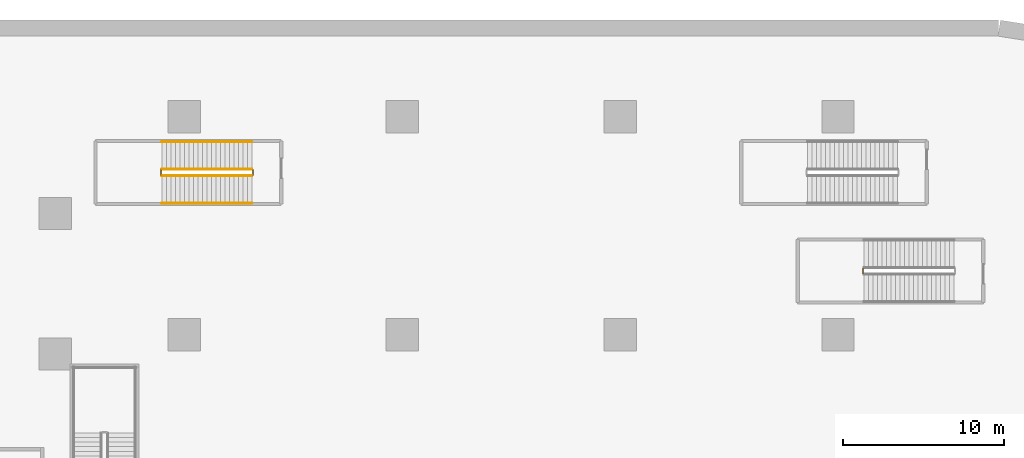
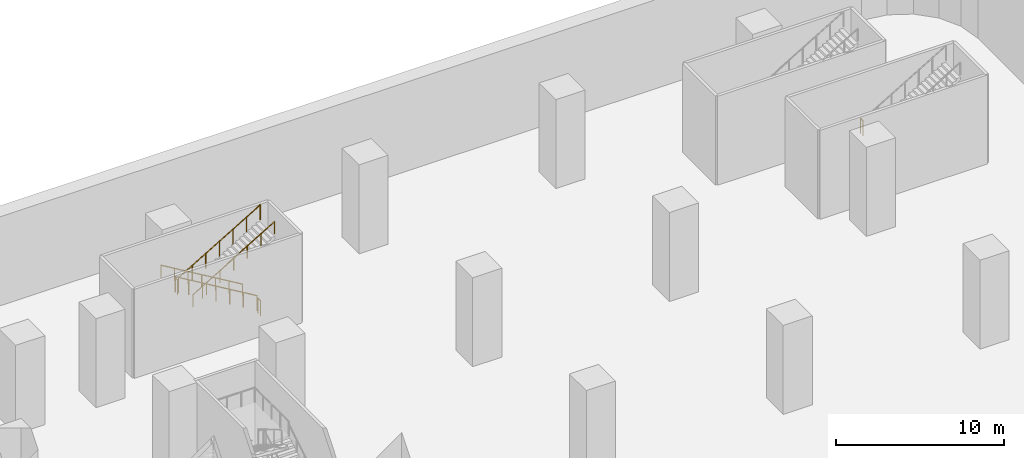
# One storey, part 34 of 37: 7 railings.
"""IFC4 building model written with IfcOpenShell, lengths in metres."""

from ifc_helpers import new_model, si_unit, direction, frame, origin, origin_2d, place, context, subcontext, project, spatial, circle, extrude, material, type_object, element, save


model = new_model("IFC4")

# Units and contexts
model_context = context("Model", 3, precision=1e-05, world=origin(), true_north=direction((0.0, 1.0)))
body_context = subcontext(model_context, "Body", "Model", "MODEL_VIEW")
ifc_project = project(units=[si_unit("LENGTHUNIT", "METRE"), si_unit("AREAUNIT", "SQUARE_METRE"), si_unit("VOLUMEUNIT", "CUBIC_METRE"), si_unit("PLANEANGLEUNIT", "RADIAN"), si_unit("MASSUNIT", "GRAM", prefix="KILO")], contexts=[model_context])

# Site, building, storey
site_placement = place(None, origin())
site = spatial("IfcSite", under=ifc_project, at=site_placement, CompositionType="ELEMENT")
building_placement = place(site_placement, origin())
building = spatial("IfcBuilding", under=site, at=building_placement, Name="Tamarind Cross Interchange Tower", CompositionType="ELEMENT")
storey_placement = place(building_placement, frame((0.0, 0.0, -7.0)))
storey = spatial("IfcBuildingStorey", under=building, at=storey_placement, Name="B1", CompositionType="ELEMENT", Elevation=-7.0)

# Railings
ifc_material_1 = material(Name="Public stair guard")
railing_type_1 = type_object("IfcRailingType", Name="Public stair guard", PredefinedType="GUARDRAIL", material=ifc_material_1)
railing_1_placement = place(storey_placement, frame((55.550048828125, 44.60009765625, 3.5)))
element("IfcRailing", 1, at=railing_1_placement, inside=storey, type_object=railing_type_1, Name="B1 XS-P02 stair guard 2", PredefinedType="GUARDRAIL", context=body_context, shape_type="SweptSolid", body=[
    extrude(circle(Radius=0.02392578125, at=origin_2d()), frame((0.0, 0.0, 1.076171875), z_axis=(0.0, -1.0, 0.0), x_axis=(1.0, 0.0, 0.0)), (0.0, 0.0, 1.0), 0.300048828125),
    extrude(circle(Radius=0.02099609375, at=origin_2d()), origin(), (0.0, 0.0, 1.0), 1.052001953125),
    extrude(circle(Radius=0.02099609375, at=origin_2d()), frame((0.0, -0.300048828125, 0.0)), (0.0, 0.0, 1.0), 1.052001953125),
])
railing_2_placement = place(storey_placement, frame((17.699951171875, 50.75, 0.166748046875)))
element("IfcRailing", 2, at=railing_2_placement, inside=storey, type_object=railing_type_1, Name="B1 XS-P03 stair guard 1", PredefinedType="GUARDRAIL", context=body_context, shape_type="SweptSolid", body=[
    extrude(circle(Radius=0.02392578125, at=origin_2d()), frame((0.0, 0.0, 1.076171875), z_axis=(-0.859292492371, 0.0, 0.511484518392), x_axis=(0.0, -1.0, 0.0)), (0.0, 0.0, 1.0), 6.516845703125),
    extrude(circle(Radius=0.02099609375, at=origin_2d()), origin(), (0.0, 0.0, 1.0), 1.052001953125),
    extrude(circle(Radius=0.02099609375, at=origin_2d()), frame((-0.933349609375, 0.0, 0.5556640625)), (0.0, 0.0, 1.0), 1.052001953125),
    extrude(circle(Radius=0.02099609375, at=origin_2d()), frame((-1.86669921875, 0.0, 1.111083984375)), (0.0, 0.0, 1.0), 1.052001953125),
    extrude(circle(Radius=0.02099609375, at=origin_2d()), frame((-2.7998046875, 0.0, 1.66650390625)), (0.0, 0.0, 1.0), 1.052001953125),
    extrude(circle(Radius=0.02099609375, at=origin_2d()), frame((-3.733154296875, 0.0, 2.22216796875)), (0.0, 0.0, 1.0), 1.052001953125),
    extrude(circle(Radius=0.02099609375, at=origin_2d()), frame((-4.66650390625, 0.0, 2.77783203125)), (0.0, 0.0, 1.0), 1.052001953125),
    extrude(circle(Radius=0.02099609375, at=origin_2d()), frame((-5.599853515625, 0.0, 3.333251953125)), (0.0, 0.0, 1.0), 1.052001953125),
])
railing_3_placement = place(storey_placement, frame((12.050048828125, 50.699951171875, 3.5)))
element("IfcRailing", 3, at=railing_3_placement, inside=storey, type_object=railing_type_1, Name="B1 XS-P03 stair guard 2", PredefinedType="GUARDRAIL", context=body_context, shape_type="SweptSolid", body=[
    extrude(circle(Radius=0.02392578125, at=origin_2d()), frame((0.0, 0.0, 1.076171875), z_axis=(0.0, -1.0, 0.0), x_axis=(1.0, 0.0, 0.0)), (0.0, 0.0, 1.0), 0.300048828125),
    extrude(circle(Radius=0.02099609375, at=origin_2d()), origin(), (0.0, 0.0, 1.0), 1.052001953125),
    extrude(circle(Radius=0.02099609375, at=origin_2d()), frame((0.0, -0.300048828125, 0.0)), (0.0, 0.0, 1.0), 1.052001953125),
])
railing_4_placement = place(storey_placement, frame((12.10009765625, 50.35009765625, 3.666748046875)))
element("IfcRailing", 4, at=railing_4_placement, inside=storey, type_object=railing_type_1, Name="B1 XS-P03 stair guard 3", PredefinedType="GUARDRAIL", context=body_context, shape_type="SweptSolid", body=[
    extrude(circle(Radius=0.02392578125, at=origin_2d()), frame((0.0, 0.0, 1.076171875), z_axis=(0.859292492371, 0.0, 0.511484518392), x_axis=(0.0, 1.0, 0.0)), (0.0, 0.0, 1.0), 6.516845703125),
    extrude(circle(Radius=0.02099609375, at=origin_2d()), origin(), (0.0, 0.0, 1.0), 1.052001953125),
    extrude(circle(Radius=0.02099609375, at=origin_2d()), frame((0.933349609375, 0.0, 0.5556640625)), (0.0, 0.0, 1.0), 1.052001953125),
    extrude(circle(Radius=0.02099609375, at=origin_2d()), frame((1.86669921875, 0.0, 1.111083984375)), (0.0, 0.0, 1.0), 1.052001953125),
    extrude(circle(Radius=0.02099609375, at=origin_2d()), frame((2.7998046875, 0.0, 1.66650390625)), (0.0, 0.0, 1.0), 1.052001953125),
    extrude(circle(Radius=0.02099609375, at=origin_2d()), frame((3.733154296875, 0.0, 2.22216796875)), (0.0, 0.0, 1.0), 1.052001953125),
    extrude(circle(Radius=0.02099609375, at=origin_2d()), frame((4.66650390625, 0.0, 2.77783203125)), (0.0, 0.0, 1.0), 1.052001953125),
    extrude(circle(Radius=0.02099609375, at=origin_2d()), frame((5.599853515625, 0.0, 3.333251953125)), (0.0, 0.0, 1.0), 1.052001953125),
])
railing_5_placement = place(storey_placement, frame((17.75, 50.699951171875, 0.0)))
element("IfcRailing", 5, at=railing_5_placement, inside=storey, type_object=railing_type_1, Name="B1 XS-P03 stair guard 4", PredefinedType="GUARDRAIL", context=body_context, shape_type="SweptSolid", body=[
    extrude(circle(Radius=0.02392578125, at=origin_2d()), frame((0.0, 0.0, 1.076171875), z_axis=(0.0, -1.0, 0.0), x_axis=(1.0, 0.0, 0.0)), (0.0, 0.0, 1.0), 0.300048828125),
    extrude(circle(Radius=0.02099609375, at=origin_2d()), origin(), (0.0, 0.0, 1.0), 1.052001953125),
    extrude(circle(Radius=0.02099609375, at=origin_2d()), frame((0.0, -0.300048828125, 0.0)), (0.0, 0.0, 1.0), 1.052001953125),
])
ifc_material_2 = material(Name="Public stair handrail")
railing_type_2 = type_object("IfcRailingType", Name="Public stair handrail", PredefinedType="HANDRAIL", material=ifc_material_2)
railing_6_placement = place(storey_placement, frame((17.699951171875, 52.449951171875, 0.166748046875)))
element("IfcRailing", 6, at=railing_6_placement, inside=storey, type_object=railing_type_2, Name="B1 XS-P03 stair handrail 1", PredefinedType="HANDRAIL", context=body_context, shape_type="SweptSolid", body=[
    extrude(circle(Radius=0.02392578125, at=origin_2d()), frame((0.0, 0.0, 0.8759765625), z_axis=(-0.859292492371, 0.0, 0.511484518392), x_axis=(0.0, -1.0, 0.0)), (0.0, 0.0, 1.0), 6.516845703125),
    extrude(circle(Radius=0.02099609375, at=origin_2d()), origin(), (0.0, 0.0, 1.0), 0.851806640625),
    extrude(circle(Radius=0.02099609375, at=origin_2d()), frame((-0.933349609375, 0.0, 0.5556640625)), (0.0, 0.0, 1.0), 0.851806640625),
    extrude(circle(Radius=0.02099609375, at=origin_2d()), frame((-1.86669921875, 0.0, 1.111083984375)), (0.0, 0.0, 1.0), 0.851806640625),
    extrude(circle(Radius=0.02099609375, at=origin_2d()), frame((-2.7998046875, 0.0, 1.66650390625)), (0.0, 0.0, 1.0), 0.851806640625),
    extrude(circle(Radius=0.02099609375, at=origin_2d()), frame((-3.733154296875, 0.0, 2.22216796875)), (0.0, 0.0, 1.0), 0.851806640625),
    extrude(circle(Radius=0.02099609375, at=origin_2d()), frame((-4.66650390625, 0.0, 2.77783203125)), (0.0, 0.0, 1.0), 0.851806640625),
    extrude(circle(Radius=0.02099609375, at=origin_2d()), frame((-5.599853515625, 0.0, 3.333251953125)), (0.0, 0.0, 1.0), 0.851806640625),
])
railing_7_placement = place(storey_placement, frame((12.10009765625, 48.64990234375, 3.666748046875)))
element("IfcRailing", 7, at=railing_7_placement, inside=storey, type_object=railing_type_2, Name="B1 XS-P03 stair handrail 2", PredefinedType="HANDRAIL", context=body_context, shape_type="SweptSolid", body=[
    extrude(circle(Radius=0.02392578125, at=origin_2d()), frame((0.0, 0.0, 0.8759765625), z_axis=(0.859292492371, 0.0, 0.511484518392), x_axis=(0.0, 1.0, 0.0)), (0.0, 0.0, 1.0), 6.516845703125),
    extrude(circle(Radius=0.02099609375, at=origin_2d()), origin(), (0.0, 0.0, 1.0), 0.851806640625),
    extrude(circle(Radius=0.02099609375, at=origin_2d()), frame((0.933349609375, 0.0, 0.5556640625)), (0.0, 0.0, 1.0), 0.851806640625),
    extrude(circle(Radius=0.02099609375, at=origin_2d()), frame((1.86669921875, 0.0, 1.111083984375)), (0.0, 0.0, 1.0), 0.851806640625),
    extrude(circle(Radius=0.02099609375, at=origin_2d()), frame((2.7998046875, 0.0, 1.66650390625)), (0.0, 0.0, 1.0), 0.851806640625),
    extrude(circle(Radius=0.02099609375, at=origin_2d()), frame((3.733154296875, 0.0, 2.22216796875)), (0.0, 0.0, 1.0), 0.851806640625),
    extrude(circle(Radius=0.02099609375, at=origin_2d()), frame((4.66650390625, 0.0, 2.77783203125)), (0.0, 0.0, 1.0), 0.851806640625),
    extrude(circle(Radius=0.02099609375, at=origin_2d()), frame((5.599853515625, 0.0, 3.333251953125)), (0.0, 0.0, 1.0), 0.851806640625),
])

save(model, "model.ifc")
